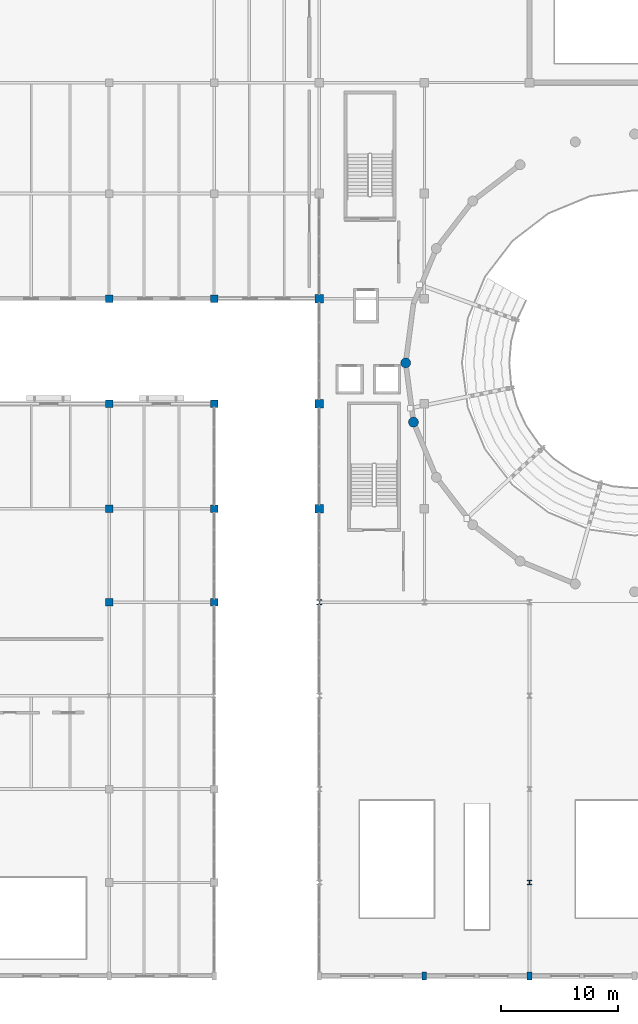
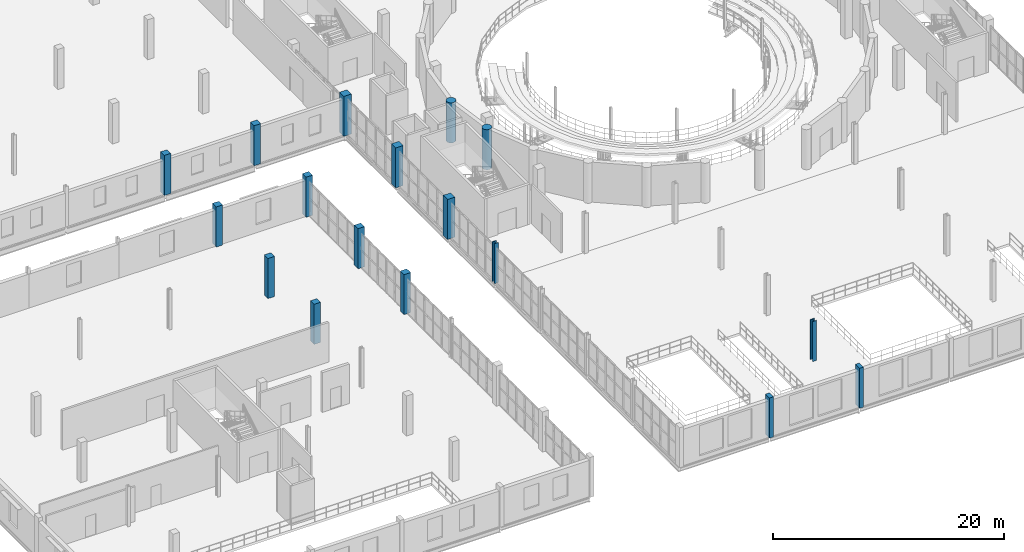
# One storey, part 4 of 85: 17 columns.
"""IFC4 building model written with IfcOpenShell, lengths in metres."""

import ifcopenshell
import ifcopenshell.guid

model = None  # the IFC model being written
_history = None  # IfcOwnerHistory: only IFC2X3 demands one
_inside = {}  # id of a spatial element -> (the spatial element, [elements in it])
_under = {}  # id of a project, library or spatial element -> (it, [spatial elements below it])
_declared = {}  # id of a project -> (the project, [libraries it declares])
_typed = {}  # id of a type object -> (the type object, [elements of that type])
_made_of = {}  # id of a material, layer set ... -> (it, [elements and type objects made of it])


def new_model(schema):
    """Start an empty IFC model of exactly this schema.

    Asked for "IFC4X3", IfcOpenShell would pick the latest addendum, in which some entities
    have other attributes; the version numbers below select the first issue.
    IFC2X3 requires an IfcOwnerHistory on every rooted entity: one is made here for all.
    """
    global model, _history
    if schema == "IFC4X3":
        model = ifcopenshell.file(schema_version=(4, 3, 0, 0))
    else:
        model = ifcopenshell.file(schema=schema)
    _inside.clear()
    _under.clear()
    _declared.clear()
    _typed.clear()
    _made_of.clear()
    _history = None
    if model.schema == "IFC2X3":
        org = make("IfcOrganization", Name="unknown")
        user = make(
            "IfcPersonAndOrganization",
            ThePerson=make("IfcPerson", FamilyName="unknown"),
            TheOrganization=org,
        )
        app = make(
            "IfcApplication",
            ApplicationDeveloper=org,
            Version="unknown",
            ApplicationFullName="unknown",
            ApplicationIdentifier="unknown",
        )
        _history = make(
            "IfcOwnerHistory",
            OwningUser=user,
            OwningApplication=app,
            ChangeAction="ADDED",
            CreationDate=0,
        )
    return model


def make(cls, **values):
    """One entity of the class cls with the attributes given. An attribute that is None is left unset."""
    return model.create_entity(
        cls, **{name: value for name, value in values.items() if value is not None}
    )


def rooted(cls, **values):
    """An entity with a GlobalId (a new one), such as an element, a storey or a relation."""
    return make(cls, GlobalId=ifcopenshell.guid.new(), OwnerHistory=_history, **values)


def si_unit(unit_type, name, prefix=None):
    """IfcSIUnit, for example si_unit("LENGTHUNIT", "METRE", prefix="MILLI")."""
    return make("IfcSIUnit", UnitType=unit_type, Prefix=prefix, Name=name)


def assignment(units):
    """IfcUnitAssignment: the units of a project."""
    return None if units is None else make("IfcUnitAssignment", Units=units)


def point(xyz):
    """IfcCartesianPoint."""
    return None if xyz is None else make("IfcCartesianPoint", Coordinates=xyz)


def direction(xyz):
    """IfcDirection."""
    return None if xyz is None else make("IfcDirection", DirectionRatios=xyz)


def frame(location, z_axis=None, x_axis=None):
    """IfcAxis2Placement3D, a coordinate frame: its origin and axes. An axis left out is left unset."""
    return make(
        "IfcAxis2Placement3D",
        Location=point(location),
        Axis=direction(z_axis),
        RefDirection=direction(x_axis),
    )


def frame_2d(location, x_axis=None):
    """IfcAxis2Placement2D, a coordinate frame in the plane: its origin and x axis."""
    return make(
        "IfcAxis2Placement2D", Location=point(location), RefDirection=direction(x_axis)
    )


def origin():
    """The frame at (0, 0, 0) with its axes left unset."""
    return frame((0.0, 0.0, 0.0))


def origin_2d():
    """The frame at (0, 0) in the plane with its x axis left unset."""
    return frame_2d((0.0, 0.0))


def place(relative_to, where):
    """IfcLocalPlacement: puts the frame where relative to a parent placement (None: the world)."""
    return make(
        "IfcLocalPlacement", PlacementRelTo=relative_to, RelativePlacement=where
    )


def context(
    kind, dimensions, precision=None, world=None, true_north=None, identifier=None
):
    """IfcGeometricRepresentationContext, for example the 3D "Model" context."""
    return make(
        "IfcGeometricRepresentationContext",
        ContextIdentifier=identifier,
        ContextType=kind,
        CoordinateSpaceDimension=dimensions,
        Precision=precision,
        WorldCoordinateSystem=world,
        TrueNorth=true_north,
    )


def subcontext(parent, identifier, kind, view, scale=None):
    """IfcGeometricRepresentationSubContext, for example "Body" below "Model"."""
    return make(
        "IfcGeometricRepresentationSubContext",
        ContextIdentifier=identifier,
        ContextType=kind,
        ParentContext=parent,
        TargetScale=scale,
        TargetView=view,
    )


def project(units=None, contexts=None):
    """IfcProject with its units and contexts."""
    return rooted(
        "IfcProject",
        Name="project",
        RepresentationContexts=contexts,
        UnitsInContext=assignment(units),
    )


def spatial(cls, under=None, at=None, **own):
    """A site, building, storey or space (cls), placed at a placement, below another one or the project."""
    s = rooted(cls, ObjectPlacement=at, **own)
    if under is not None:
        _under.setdefault(under.id(), (under, []))[1].append(s)
    return s


def profile(cls, at=None, kind="AREA", **sizes):
    """A parametric profile (cls). Its sizes go by their IFC names, for example OverallWidth=200.0."""
    return make(cls, ProfileType=kind, Position=at, **sizes)


def rectangle(**sizes):
    """IfcRectangleProfileDef."""
    return profile("IfcRectangleProfileDef", **sizes)


def circle(**sizes):
    """IfcCircleProfileDef."""
    return profile("IfcCircleProfileDef", **sizes)


def i_section(**sizes):
    """IfcIShapeProfileDef."""
    return profile("IfcIShapeProfileDef", **sizes)


def extrude(swept, where, along, depth):
    """IfcExtrudedAreaSolid: the profile swept, set in the frame where, extruded along a direction by depth."""
    return make(
        "IfcExtrudedAreaSolid",
        SweptArea=swept,
        Position=where,
        ExtrudedDirection=direction(along),
        Depth=depth,
    )


def shape(context_of_items, identifier, shape_type, items):
    """IfcShapeRepresentation: the items that make up one representation, for example the "Body"."""
    return make(
        "IfcShapeRepresentation",
        ContextOfItems=context_of_items,
        RepresentationIdentifier=identifier,
        RepresentationType=shape_type,
        Items=items,
    )


def material(Name=None, Category=None):
    """IfcMaterial."""
    return make("IfcMaterial", Name=Name, Category=Category)


def material_profile(
    of_material, cross_section, Name=None, Category=None, Priority=None
):
    """IfcMaterialProfile: a cross section and its material."""
    return make(
        "IfcMaterialProfile",
        Name=Name,
        Material=of_material,
        Profile=cross_section,
        Priority=Priority,
        Category=Category,
    )


def profile_set(profiles, Name=None, composite=None):
    """IfcMaterialProfileSet."""
    return make(
        "IfcMaterialProfileSet",
        Name=Name,
        MaterialProfiles=profiles,
        CompositeProfile=composite,
    )


def made_of(thing, what):
    """Note that an element or type object is made of a material, layer set ...; save() writes the relation."""
    if what is not None:
        _made_of.setdefault(what.id(), (what, []))[1].append(thing)
    return thing


def type_object(cls, material=None, **own):
    """A type object (cls), such as IfcWallType, which elements share."""
    return made_of(rooted(cls, **own), material)


def element(
    cls,
    number,
    at=None,
    inside=None,
    cuts=None,
    type_object=None,
    material=None,
    context=None,
    identifier="Body",
    shape_type=None,
    held_by="IfcProductDefinitionShape",
    body=None,
    shapes=None,
    **own,
):
    """One element of the class cls, such as IfcWall. Its Tag is "e" and its number.

    at: its placement. inside: the storey or other place that contains it. cuts: it is an
    opening in that element (IfcRelVoidsElement). A single representation is given by context,
    identifier, shape_type and body (its items); several are given by shapes. held_by: the class
    of the entity that holds the representations. save() writes the other relations.
    """
    e = rooted(cls, Tag="e%d" % number, ObjectPlacement=at, **own)
    if body is not None:
        shapes = [shape(context, identifier, shape_type, body)]
    if shapes is not None:
        e.Representation = make(held_by, Representations=shapes)
    if inside is not None:
        _inside.setdefault(inside.id(), (inside, []))[1].append(e)
    if cuts is not None:
        rooted(
            "IfcRelVoidsElement", RelatingBuildingElement=cuts, RelatedOpeningElement=e
        )
    if type_object is not None:
        _typed.setdefault(type_object.id(), (type_object, []))[1].append(e)
    return made_of(e, material)


def aggregate(whole, parts):
    """IfcRelAggregates: a whole, such as a stair, and the parts it consists of."""
    return rooted("IfcRelAggregates", RelatingObject=whole, RelatedObjects=parts)


def save(model, path):
    """Write the relations noted so far, then the file.

    IfcRelAggregates (storeys below a building ...), IfcRelContainedInSpatialStructure (elements
    in a storey), IfcRelDefinesByType, IfcRelAssociatesMaterial and IfcRelDeclares: one each for
    every whole, place, type object, material and project.
    """
    for whole, parts in _under.values():
        aggregate(whole, parts)
    for where, things in _inside.values():
        rooted(
            "IfcRelContainedInSpatialStructure",
            RelatedElements=things,
            RelatingStructure=where,
        )
    for kind, things in _typed.values():
        rooted("IfcRelDefinesByType", RelatedObjects=things, RelatingType=kind)
    for what, things in _made_of.values():
        rooted("IfcRelAssociatesMaterial", RelatedObjects=things, RelatingMaterial=what)
    for by, libraries in _declared.values():
        rooted("IfcRelDeclares", RelatingContext=by, RelatedDefinitions=libraries)
    model.write(path)


model = new_model("IFC4")

# Units and contexts
model_context = context("Model", 3, precision=1e-05, world=origin(), true_north=direction((0.0, 1.0)))
body_context = subcontext(model_context, "Body", "Model", "MODEL_VIEW")
ifc_project = project(units=[si_unit("LENGTHUNIT", "METRE"), si_unit("AREAUNIT", "SQUARE_METRE"), si_unit("VOLUMEUNIT", "CUBIC_METRE"), si_unit("PLANEANGLEUNIT", "RADIAN"), si_unit("MASSUNIT", "GRAM", prefix="KILO")], contexts=[model_context])

# Site, building, storey
site_placement = place(None, origin())
site = spatial("IfcSite", under=ifc_project, at=site_placement, CompositionType="ELEMENT")
building_placement = place(site_placement, origin())
building = spatial("IfcBuilding", under=site, at=building_placement, Name="Marnock Terrace Opera House", CompositionType="ELEMENT")
storey_placement = place(building_placement, frame((0.0, 0.0, 10.199951171875)))
storey = spatial("IfcBuildingStorey", under=building, at=storey_placement, Name="L02", CompositionType="ELEMENT", Elevation=10.199951171875)

# Columns
ifc_material_1 = material(Name="Concrete N50 (f'c = 50 MPa)", Category="concrete")
ifc_material_profile_1 = material_profile(ifc_material_1, circle(Radius=0.425048828125, at=origin_2d()))
ifc_profile_set_1 = profile_set([ifc_material_profile_1], Name="Concrete N50 (f'c = 50 MPa)")
column_type_1 = type_object("IfcColumnType", Name="COL-DRUM-850", PredefinedType="COLUMN", material=ifc_profile_set_1)
for number, where, z_axis, x_axis, name in (
    (1, (62.39990234375, 60.5, 0.0), (0.0, 0.0, 1.0), (1.0, 0.0, 0.0), "L02 auditorium drum pier 13"),
    (2, (63.068115234375, 55.427001953125, 0.0), (0.0, 0.0, 1.0), (1.0, 0.0, 0.0), "L02 auditorium drum pier 14"),
):
    element("IfcColumn", number, at=place(storey_placement, frame(where, z_axis=z_axis, x_axis=x_axis)), inside=storey, type_object=column_type_1, Name=name, PredefinedType="COLUMN", context=body_context, shape_type="SweptSolid", body=[
        extrude(circle(Radius=0.425048828125, at=origin_2d()), origin(), (0.0, 0.0, 1.0), 4.239990234375),
    ])
ifc_material_2 = material(Name="Concrete N40 (f'c = 40 MPa)", Category="concrete")
ifc_material_profile_2 = material_profile(ifc_material_2, rectangle(XDim=0.39990234375, YDim=0.699951171875, at=origin_2d()))
ifc_profile_set_2 = profile_set([ifc_material_profile_2], Name="Concrete N40 (f'c = 40 MPa)")
column_type_2 = type_object("IfcColumnType", Name="COL-PIL-700", PredefinedType="PILASTER", material=ifc_profile_set_2)
for number, where, z_axis, x_axis, name in (
    (3, (64.0, 8.0, 0.0), (0.0, 0.0, 1.0), (1.0, 0.0, 0.0), "L02 column at (64.0, 8.0)"),
    (4, (73.0, 8.0, 0.0), (0.0, 0.0, 1.0), (1.0, 0.0, 0.0), "L02 column at (73.0, 8.0)"),
):
    element("IfcColumn", number, at=place(storey_placement, frame(where, z_axis=z_axis, x_axis=x_axis)), inside=storey, type_object=column_type_2, Name=name, PredefinedType="PILASTER", context=body_context, shape_type="SweptSolid", body=[
        extrude(rectangle(XDim=0.39990234375, YDim=0.699951171875, at=origin_2d()), origin(), (0.0, 0.0, 1.0), 4.239990234375),
    ])
ifc_material_profile_3 = material_profile(ifc_material_2, rectangle(XDim=0.64990234375, YDim=0.64990234375, at=origin_2d()))
ifc_profile_set_3 = profile_set([ifc_material_profile_3], Name="Concrete N40 (f'c = 40 MPa)")
column_type_3 = type_object("IfcColumnType", Name="COL-RC650", PredefinedType="COLUMN", material=ifc_profile_set_3)
for number, where, z_axis, x_axis, name in (
    (5, (37.0, 40.0, 0.0), (0.0, 0.0, 1.0), (1.0, 0.0, 0.0), "L02 column at (37.0, 40.0)"),
    (6, (37.0, 48.0, 0.0), (0.0, 0.0, 1.0), (1.0, 0.0, 0.0), "L02 column at (37.0, 48.0)"),
    (7, (37.0, 57.0, 0.0), (0.0, 0.0, 1.0), (1.0, 0.0, 0.0), "L02 column at (37.0, 57.0)"),
    (8, (37.0, 66.0, 0.0), (0.0, 0.0, 1.0), (1.0, 0.0, 0.0), "L02 column at (37.0, 66.0)"),
    (9, (46.0, 40.0, 0.0), (0.0, 0.0, 1.0), (1.0, 0.0, 0.0), "L02 column at (46.0, 40.0)"),
    (10, (46.0, 48.0, 0.0), (0.0, 0.0, 1.0), (1.0, 0.0, 0.0), "L02 column at (46.0, 48.0)"),
    (11, (46.0, 57.0, 0.0), (0.0, 0.0, 1.0), (1.0, 0.0, 0.0), "L02 column at (46.0, 57.0)"),
    (12, (46.0, 66.0, 0.0), (0.0, 0.0, 1.0), (1.0, 0.0, 0.0), "L02 column at (46.0, 66.0)"),
):
    element("IfcColumn", number, at=place(storey_placement, frame(where, z_axis=z_axis, x_axis=x_axis)), inside=storey, type_object=column_type_3, Name=name, PredefinedType="COLUMN", context=body_context, shape_type="SweptSolid", body=[
        extrude(rectangle(XDim=0.64990234375, YDim=0.64990234375, at=origin_2d()), origin(), (0.0, 0.0, 1.0), 4.239990234375),
    ])
ifc_material_profile_4 = material_profile(ifc_material_1, rectangle(XDim=0.75, YDim=0.75, at=origin_2d()))
ifc_profile_set_4 = profile_set([ifc_material_profile_4], Name="Concrete N50 (f'c = 50 MPa)")
column_type_4 = type_object("IfcColumnType", Name="COL-RC750", PredefinedType="COLUMN", material=ifc_profile_set_4)
for number, where, z_axis, x_axis, name in (
    (13, (55.0, 48.0, 0.0), (0.0, 0.0, 1.0), (1.0, 0.0, 0.0), "L02 column at (55.0, 48.0)"),
    (14, (55.0, 57.0, 0.0), (0.0, 0.0, 1.0), (1.0, 0.0, 0.0), "L02 column at (55.0, 57.0)"),
    (15, (55.0, 66.0, 0.0), (0.0, 0.0, 1.0), (1.0, 0.0, 0.0), "L02 column at (55.0, 66.0)"),
):
    element("IfcColumn", number, at=place(storey_placement, frame(where, z_axis=z_axis, x_axis=x_axis)), inside=storey, type_object=column_type_4, Name=name, PredefinedType="COLUMN", context=body_context, shape_type="SweptSolid", body=[
        extrude(rectangle(XDim=0.75, YDim=0.75, at=origin_2d()), origin(), (0.0, 0.0, 1.0), 4.239990234375),
    ])
ifc_material_3 = material(Name="Steel Grade 350 Welded (AS/NZS 3679.2)", Category="steel")
ifc_material_profile_5 = material_profile(ifc_material_3, i_section(OverallWidth=0.39990234375, OverallDepth=0.39990234375, WebThickness=0.02001953125, FlangeThickness=0.031982421875, at=origin_2d()))
ifc_profile_set_5 = profile_set([ifc_material_profile_5], Name="Steel Grade 350 Welded (AS/NZS 3679.2)")
column_type_5 = type_object("IfcColumnType", Name="COL-WC400", PredefinedType="COLUMN", material=ifc_profile_set_5)
for number, where, z_axis, x_axis, name in (
    (16, (55.0, 40.0, 0.0), (0.0, 0.0, 1.0), (1.0, 0.0, 0.0), "L02 column at (55.0, 40.0)"),
    (17, (73.0, 16.0, 0.0), (0.0, 0.0, 1.0), (1.0, 0.0, 0.0), "L02 column at (73.0, 16.0)"),
):
    element("IfcColumn", number, at=place(storey_placement, frame(where, z_axis=z_axis, x_axis=x_axis)), inside=storey, type_object=column_type_5, Name=name, PredefinedType="COLUMN", context=body_context, shape_type="SweptSolid", body=[
        extrude(i_section(OverallWidth=0.39990234375, OverallDepth=0.39990234375, WebThickness=0.02001953125, FlangeThickness=0.031982421875, at=origin_2d()), origin(), (0.0, 0.0, 1.0), 4.239990234375),
    ])

save(model, "model.ifc")
